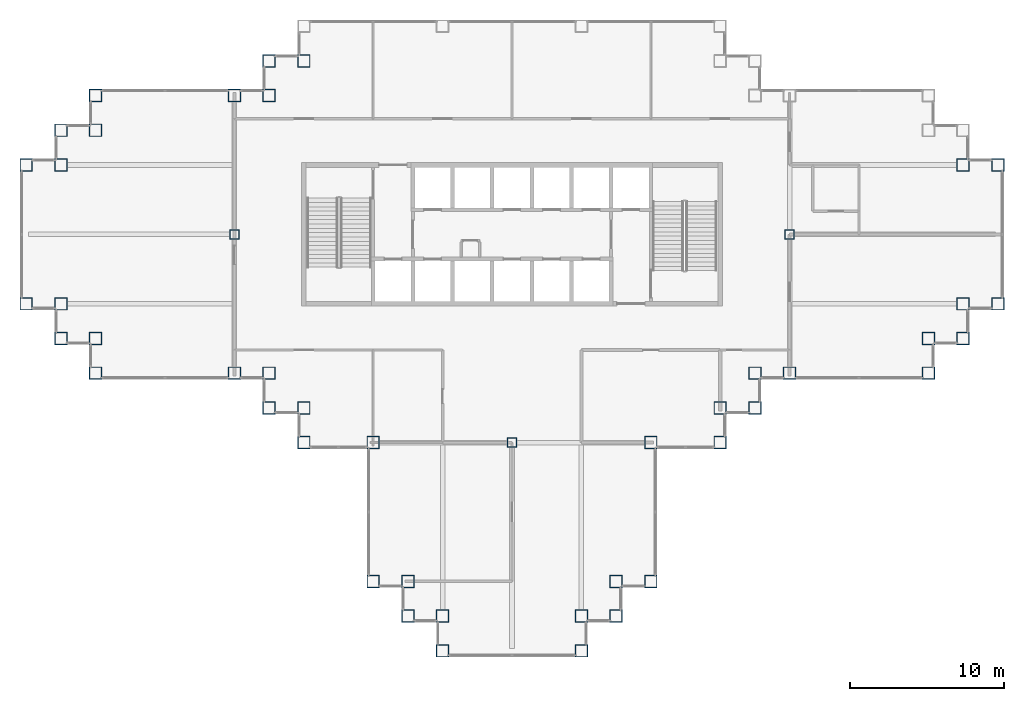
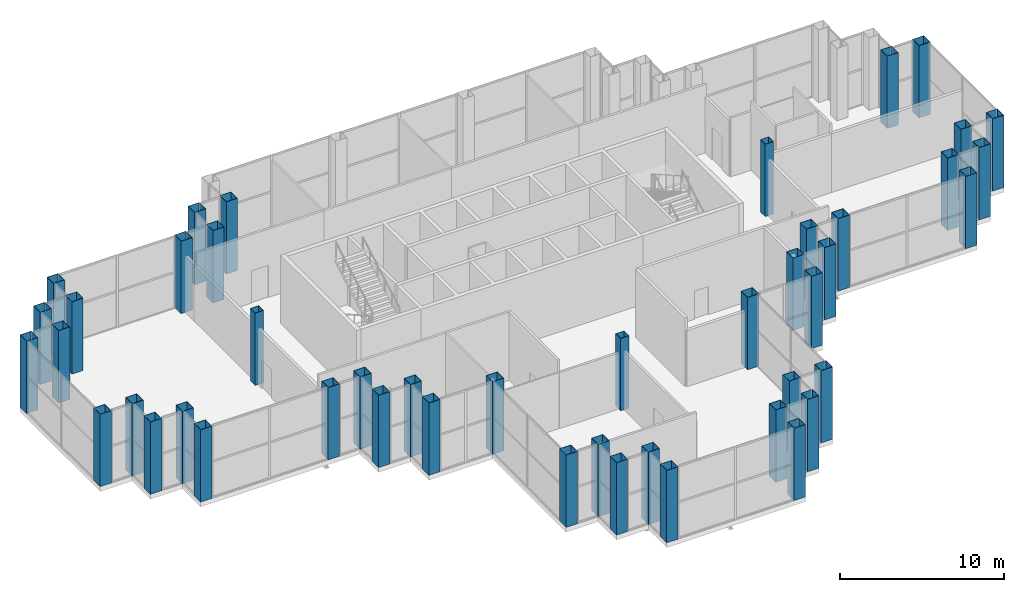
# One storey, part 1 of 18: 46 columns.
"""IFC4 building model written with IfcOpenShell, lengths in metres."""

from ifc_helpers import new_model, si_unit, direction, frame, origin, origin_2d, place, context, subcontext, project, spatial, hollow_rectangle, extrude, material, material_profile, profile_set, type_object, element, save


model = new_model("IFC4")

# Units and contexts
model_context = context("Model", 3, precision=1e-05, world=origin(), true_north=direction((0.0, 1.0)))
body_context = subcontext(model_context, "Body", "Model", "MODEL_VIEW")
ifc_project = project(units=[si_unit("LENGTHUNIT", "METRE"), si_unit("AREAUNIT", "SQUARE_METRE"), si_unit("VOLUMEUNIT", "CUBIC_METRE"), si_unit("PLANEANGLEUNIT", "RADIAN"), si_unit("MASSUNIT", "GRAM", prefix="KILO")], contexts=[model_context])

# Site, building, storey
site_placement = place(None, origin())
site = spatial("IfcSite", under=ifc_project, at=site_placement, CompositionType="ELEMENT")
building_placement = place(site_placement, origin())
building = spatial("IfcBuilding", under=site, at=building_placement, Name="Caravel Reach Hotel and Residences", CompositionType="ELEMENT")
storey_placement = place(building_placement, frame((0.0, 0.0, 145.199951171875)))
storey = spatial("IfcBuildingStorey", under=building, at=storey_placement, Name="L36", CompositionType="ELEMENT", Elevation=145.199951171875)

# Columns
ifc_material_1 = material(Name="Concrete-filled steel tube Q390B with Concrete C60 infill", Category="concrete")
ifc_material_profile_1 = material_profile(ifc_material_1, hollow_rectangle(XDim=0.60009765625, YDim=0.60009765625, WallThickness=0.02001953125, at=origin_2d()), Name="RHS 600x600x20")
ifc_profile_set_1 = profile_set([ifc_material_profile_1], Name="Concrete-filled steel tube Q390B with Concrete C60 infill")
column_type_1 = type_object("IfcColumnType", Name="CFT 600x600 Q390B C60", PredefinedType="COLUMN", material=ifc_profile_set_1)
for number, where, z_axis, x_axis, name in (
    (1, (31.5, 13.5, 0.0), (0.0, 0.0, 1.0), (1.0, 0.0, 0.0), "C8 column"),
    (2, (13.5, 27.0, 0.0), (0.0, 0.0, 1.0), (1.0, 0.0, 0.0), "C8 column"),
    (3, (49.5, 27.0, 0.0), (0.0, 0.0, 1.0), (1.0, 0.0, 0.0), "C8 column"),
):
    element("IfcColumn", number, at=place(storey_placement, frame(where, z_axis=z_axis, x_axis=x_axis)), inside=storey, type_object=column_type_1, Name=name, PredefinedType="COLUMN", context=body_context, shape_type="SweptSolid", body=[
        extrude(hollow_rectangle(XDim=0.60009765625, YDim=0.60009765625, WallThickness=0.02001953125, at=origin_2d()), origin(), (0.0, 0.0, 1.0), 5.400146484375),
    ])
ifc_material_2 = material(Name="Concrete-filled steel tube Q390B with Concrete C60 infill", Category="concrete")
ifc_material_profile_2 = material_profile(ifc_material_2, hollow_rectangle(XDim=0.800048828125, YDim=0.800048828125, WallThickness=0.02490234375, at=origin_2d()), Name="RHS 800x800x25")
ifc_profile_set_2 = profile_set([ifc_material_profile_2], Name="Concrete-filled steel tube Q390B with Concrete C60 infill")
column_type_2 = type_object("IfcColumnType", Name="CFT 800x800 Q390B C60", PredefinedType="COLUMN", material=ifc_profile_set_2)
for number, where, z_axis, x_axis, name in (
    (4, (22.5, 4.5, 0.0), (0.0, 0.0, 1.0), (1.0, 0.0, 0.0), "C5 column"),
    (5, (24.75, 4.5, 0.0), (0.0, 0.0, 1.0), (1.0, 0.0, 0.0), "C5 column"),
    (6, (24.75, 2.25, 0.0), (0.0, 0.0, 1.0), (1.0, 0.0, 0.0), "C5 column"),
    (7, (27.0, 2.25, 0.0), (0.0, 0.0, 1.0), (1.0, 0.0, 0.0), "C5 column"),
    (8, (27.0, 0.0, 0.0), (0.0, 0.0, 1.0), (1.0, 0.0, 0.0), "C5 column"),
    (9, (36.0, 0.0, 0.0), (0.0, 0.0, 1.0), (1.0, 0.0, 0.0), "C5 column"),
    (10, (36.0, 2.25, 0.0), (0.0, 0.0, 1.0), (1.0, 0.0, 0.0), "C5 column"),
    (11, (38.25, 2.25, 0.0), (0.0, 0.0, 1.0), (1.0, 0.0, 0.0), "C5 column"),
    (12, (38.25, 4.5, 0.0), (0.0, 0.0, 1.0), (1.0, 0.0, 0.0), "C5 column"),
    (13, (40.5, 4.5, 0.0), (0.0, 0.0, 1.0), (1.0, 0.0, 0.0), "C5 column"),
    (14, (40.5, 13.5, 0.0), (0.0, 0.0, 1.0), (1.0, 0.0, 0.0), "C5 column"),
    (15, (45.0, 13.5, 0.0), (0.0, 0.0, 1.0), (1.0, 0.0, 0.0), "C5 column"),
    (16, (45.0, 15.75, 0.0), (0.0, 0.0, 1.0), (1.0, 0.0, 0.0), "C5 column"),
    (17, (47.25, 15.75, 0.0), (0.0, 0.0, 1.0), (1.0, 0.0, 0.0), "C5 column"),
    (18, (47.25, 18.0, 0.0), (0.0, 0.0, 1.0), (1.0, 0.0, 0.0), "C5 column"),
    (19, (49.5, 18.0, 0.0), (0.0, 0.0, 1.0), (1.0, 0.0, 0.0), "C5 column"),
    (20, (58.5, 18.0, 0.0), (0.0, 0.0, 1.0), (1.0, 0.0, 0.0), "C5 column"),
    (21, (58.5, 20.25, 0.0), (0.0, 0.0, 1.0), (1.0, 0.0, 0.0), "C5 column"),
    (22, (60.75, 20.25, 0.0), (0.0, 0.0, 1.0), (1.0, 0.0, 0.0), "C5 column"),
    (23, (60.75, 22.5, 0.0), (0.0, 0.0, 1.0), (1.0, 0.0, 0.0), "C5 column"),
    (24, (63.0, 22.5, 0.0), (0.0, 0.0, 1.0), (1.0, 0.0, 0.0), "C5 column"),
    (25, (63.0, 31.5, 0.0), (0.0, 0.0, 1.0), (1.0, 0.0, 0.0), "C5 column"),
    (26, (60.75, 31.5, 0.0), (0.0, 0.0, 1.0), (1.0, 0.0, 0.0), "C5 column"),
    (27, (18.0, 38.25, 0.0), (0.0, 0.0, 1.0), (1.0, 0.0, 0.0), "C5 column"),
    (28, (15.75, 38.25, 0.0), (0.0, 0.0, 1.0), (1.0, 0.0, 0.0), "C5 column"),
    (29, (15.75, 36.0, 0.0), (0.0, 0.0, 1.0), (1.0, 0.0, 0.0), "C5 column"),
    (30, (13.5, 36.0, 0.0), (0.0, 0.0, 1.0), (1.0, 0.0, 0.0), "C5 column"),
    (31, (4.5, 36.0, 0.0), (0.0, 0.0, 1.0), (1.0, 0.0, 0.0), "C5 column"),
    (32, (4.5, 33.75, 0.0), (0.0, 0.0, 1.0), (1.0, 0.0, 0.0), "C5 column"),
    (33, (2.25, 33.75, 0.0), (0.0, 0.0, 1.0), (1.0, 0.0, 0.0), "C5 column"),
    (34, (2.25, 31.5, 0.0), (0.0, 0.0, 1.0), (1.0, 0.0, 0.0), "C5 column"),
    (35, (0.0, 31.5, 0.0), (0.0, 0.0, 1.0), (1.0, 0.0, 0.0), "C5 column"),
    (36, (0.0, 22.5, 0.0), (0.0, 0.0, 1.0), (1.0, 0.0, 0.0), "C5 column"),
    (37, (2.25, 22.5, 0.0), (0.0, 0.0, 1.0), (1.0, 0.0, 0.0), "C5 column"),
    (38, (2.25, 20.25, 0.0), (0.0, 0.0, 1.0), (1.0, 0.0, 0.0), "C5 column"),
    (39, (4.5, 20.25, 0.0), (0.0, 0.0, 1.0), (1.0, 0.0, 0.0), "C5 column"),
    (40, (4.5, 18.0, 0.0), (0.0, 0.0, 1.0), (1.0, 0.0, 0.0), "C5 column"),
    (41, (13.5, 18.0, 0.0), (0.0, 0.0, 1.0), (1.0, 0.0, 0.0), "C5 column"),
    (42, (15.75, 18.0, 0.0), (0.0, 0.0, 1.0), (1.0, 0.0, 0.0), "C5 column"),
    (43, (15.75, 15.75, 0.0), (0.0, 0.0, 1.0), (1.0, 0.0, 0.0), "C5 column"),
    (44, (18.0, 15.75, 0.0), (0.0, 0.0, 1.0), (1.0, 0.0, 0.0), "C5 column"),
    (45, (18.0, 13.5, 0.0), (0.0, 0.0, 1.0), (1.0, 0.0, 0.0), "C5 column"),
    (46, (22.5, 13.5, 0.0), (0.0, 0.0, 1.0), (1.0, 0.0, 0.0), "C5 column"),
):
    element("IfcColumn", number, at=place(storey_placement, frame(where, z_axis=z_axis, x_axis=x_axis)), inside=storey, type_object=column_type_2, Name=name, PredefinedType="COLUMN", context=body_context, shape_type="SweptSolid", body=[
        extrude(hollow_rectangle(XDim=0.800048828125, YDim=0.800048828125, WallThickness=0.02490234375, at=origin_2d()), origin(), (0.0, 0.0, 1.0), 5.400146484375),
    ])

save(model, "model.ifc")
